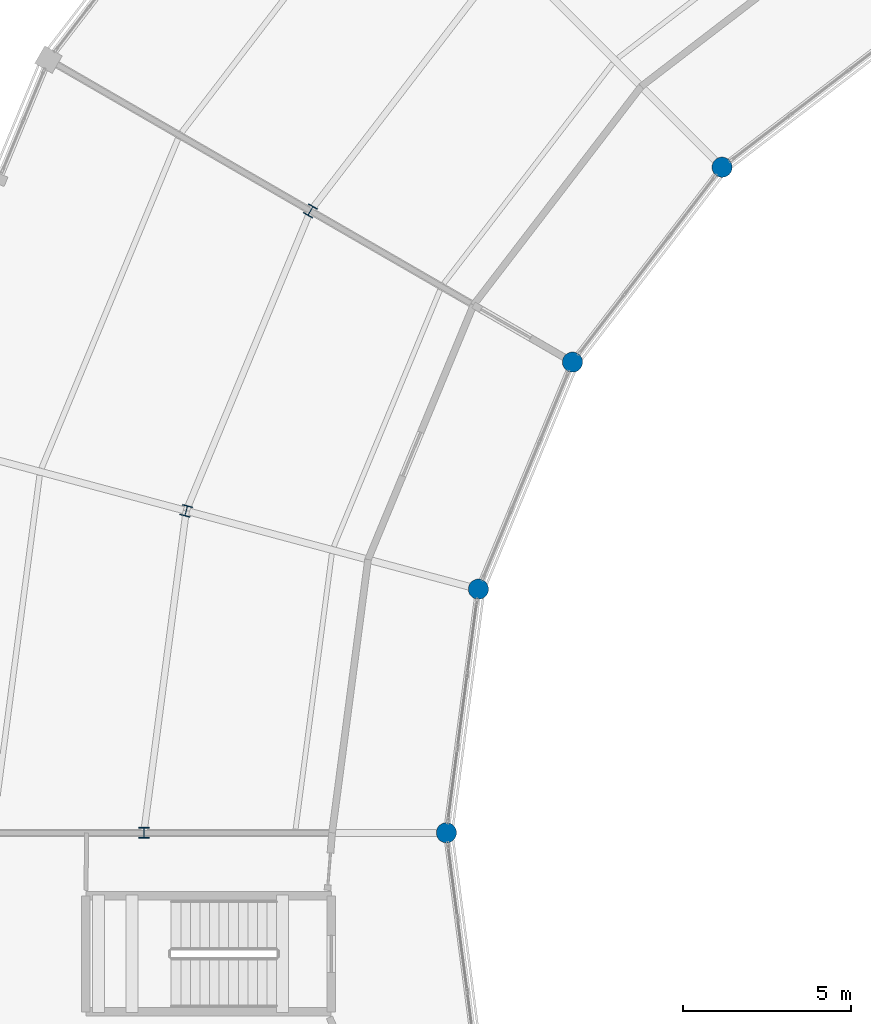
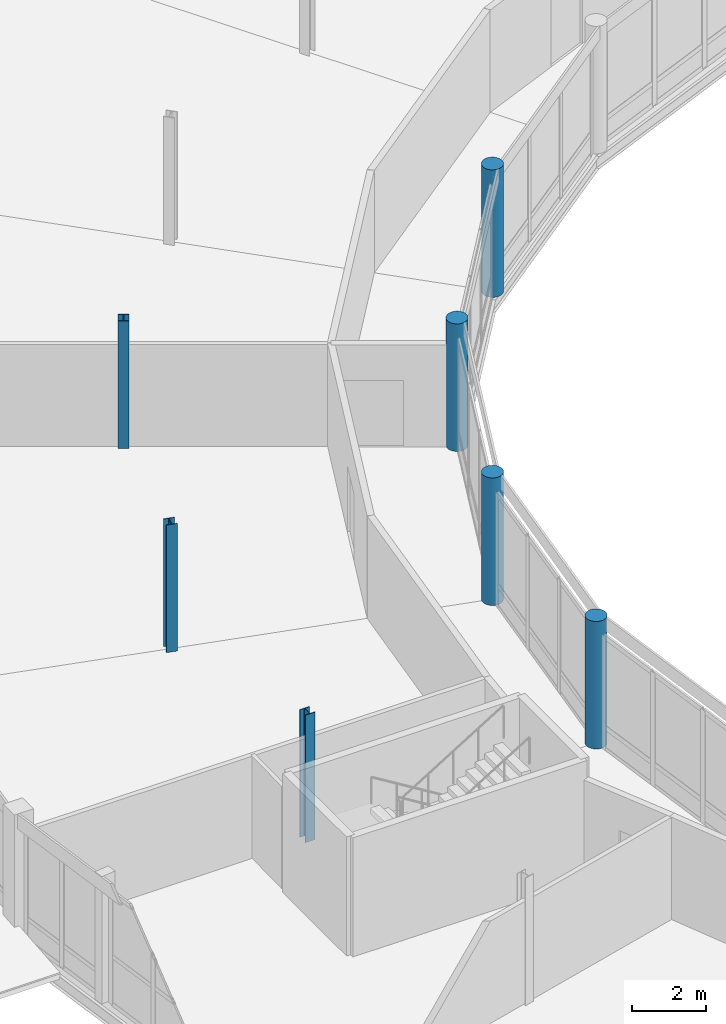
# One storey, part 10 of 170: 7 columns.
"""IFC4 building model written with IfcOpenShell, lengths in metres."""

from ifc_helpers import new_model, si_unit, direction, frame, origin, origin_2d, place, context, subcontext, project, spatial, circle, i_section, extrude, material, material_profile, profile_set, type_object, element, save


model = new_model("IFC4")

# Units and contexts
model_context = context("Model", 3, precision=1e-05, world=origin(), true_north=direction((0.0, 1.0)))
body_context = subcontext(model_context, "Body", "Model", "MODEL_VIEW")
ifc_project = project(units=[si_unit("LENGTHUNIT", "METRE"), si_unit("AREAUNIT", "SQUARE_METRE"), si_unit("VOLUMEUNIT", "CUBIC_METRE"), si_unit("PLANEANGLEUNIT", "RADIAN"), si_unit("MASSUNIT", "GRAM", prefix="KILO")], contexts=[model_context])

# Site, building, storey
site_placement = place(None, origin())
site = spatial("IfcSite", under=ifc_project, at=site_placement, CompositionType="ELEMENT")
building_placement = place(site_placement, origin())
building = spatial("IfcBuilding", under=site, at=building_placement, Name="Vondelvale Polytechnic", CompositionType="ELEMENT")
storey_placement = place(building_placement, frame((0.0, 0.0, 5.39990234375)))
storey = spatial("IfcBuildingStorey", under=building, at=storey_placement, Name="L01", CompositionType="ELEMENT", Elevation=5.39990234375)

# Columns
ifc_material_1 = material(Name="Concrete N50 (f'c = 50 MPa)", Category="concrete")
ifc_material_profile_1 = material_profile(ifc_material_1, circle(Radius=0.300048828125, at=origin_2d()), Name="RC-COL-D600")
ifc_profile_set_1 = profile_set([ifc_material_profile_1], Name="Concrete N50 (f'c = 50 MPa)")
column_type_1 = type_object("IfcColumnType", Name="COL-RCD600", PredefinedType="COLUMN", material=ifc_profile_set_1)
for number, where, z_axis, x_axis, name in (
    (1, (82.200927734375, 91.799072265625, 0.0), (0.0, 0.0, 1.0), (-0.707106781187, 0.707106781187, 0.0), "L01 courtyard ring column S09-RI"),
    (2, (77.751220703125, 86.0, 0.0), (0.0, 0.0, 1.0), (-0.866025403784, 0.5, 0.0), "L01 courtyard ring column S10-RI"),
    (3, (74.9541015625, 79.246826171875, 0.0), (0.0, 0.0, 1.0), (-0.965925826289, 0.258819045103, 0.0), "L01 courtyard ring column S11-RI"),
    (4, (74.0, 72.0, 0.0), (0.0, 0.0, 1.0), (1.0, 0.0, 0.0), "L01 courtyard ring column S12-RI"),
):
    element("IfcColumn", number, at=place(storey_placement, frame(where, z_axis=z_axis, x_axis=x_axis)), inside=storey, type_object=column_type_1, Name=name, PredefinedType="COLUMN", context=body_context, shape_type="SweptSolid", body=[
        extrude(circle(Radius=0.300048828125, at=origin_2d()), origin(), (0.0, 0.0, 1.0), 4.2001953125),
    ])
ifc_material_2 = material(Name="Steel 300PLUS (fy = 300 MPa)", Category="steel")
ifc_material_profile_2 = material_profile(ifc_material_2, i_section(OverallWidth=0.306884765625, OverallDepth=0.31494140625, WebThickness=0.011962890625, FlangeThickness=0.018798828125, FilletRadius=0.0166015625, at=origin_2d()), Name="310UC118")
ifc_profile_set_2 = profile_set([ifc_material_profile_2], Name="Steel 300PLUS (fy = 300 MPa)")
column_type_2 = type_object("IfcColumnType", Name="COL-UC310", PredefinedType="COLUMN", material=ifc_profile_set_2)
for number, where, z_axis, x_axis, name in (
    (5, (69.95703125, 90.5, 0.0), (0.0, 0.0, 1.0), (-0.866025403784, 0.5, 0.0), "L01 courtyard ring column S10-RM"),
    (6, (66.2607421875, 81.576416015625, 0.0), (0.0, 0.0, 1.0), (-0.965925826289, 0.258819045103, 0.0), "L01 courtyard ring column S11-RM"),
    (7, (65.0, 72.0, 0.0), (0.0, 0.0, 1.0), (1.0, 0.0, 0.0), "L01 courtyard ring column S12-RM"),
):
    element("IfcColumn", number, at=place(storey_placement, frame(where, z_axis=z_axis, x_axis=x_axis)), inside=storey, type_object=column_type_2, Name=name, PredefinedType="COLUMN", context=body_context, shape_type="SweptSolid", body=[
        extrude(i_section(OverallWidth=0.306884765625, OverallDepth=0.31494140625, WebThickness=0.011962890625, FlangeThickness=0.018798828125, FilletRadius=0.0166015625, at=origin_2d()), origin(), (0.0, 0.0, 1.0), 4.2001953125),
    ])

save(model, "model.ifc")
